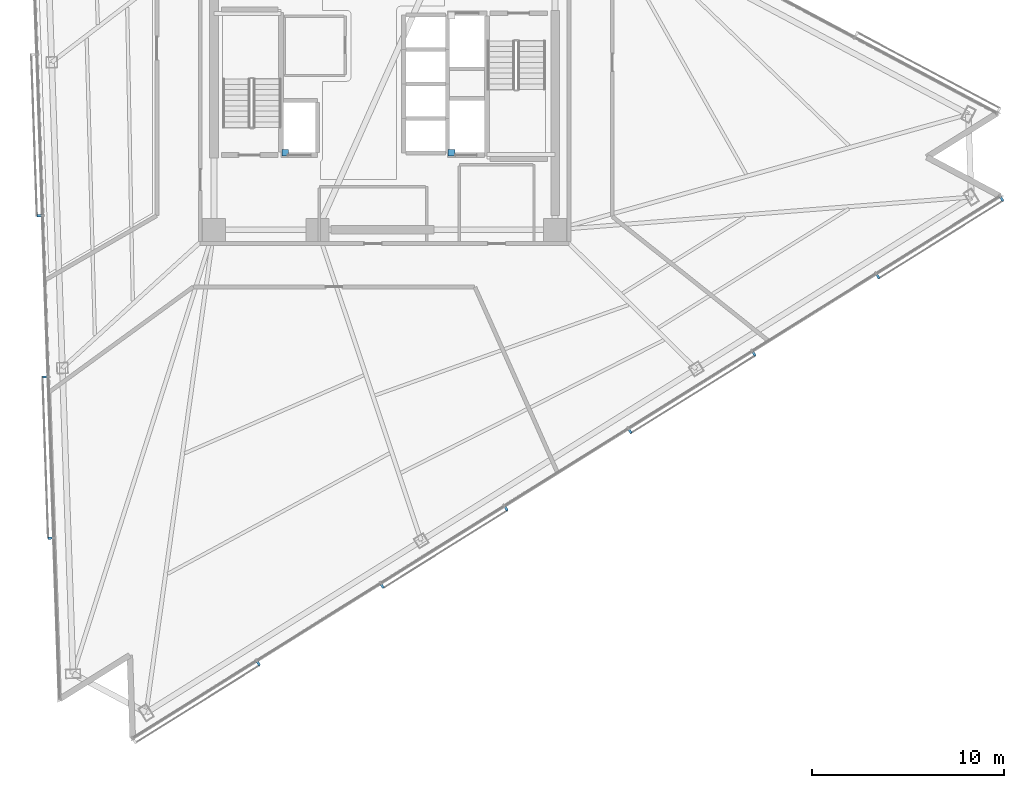
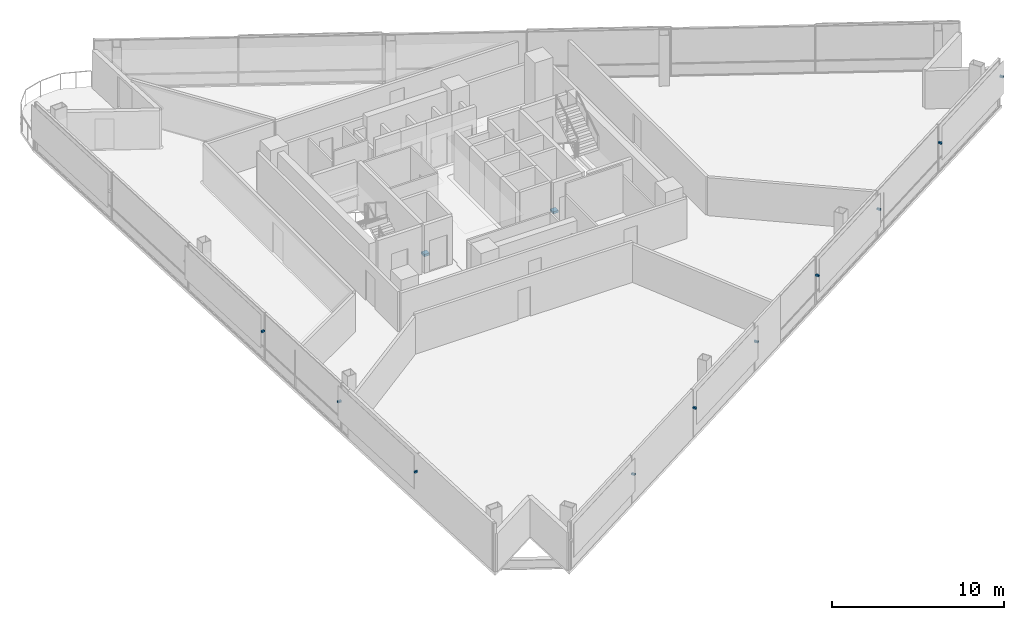
# One storey, part 14 of 18: 12 discrete accessories.
"""IFC4 building model written with IfcOpenShell, lengths in metres."""

from ifc_helpers import new_model, si_unit, direction, frame, origin, origin_2d, place, context, subcontext, project, spatial, rectangle, extrude, material, type_object, element, save


model = new_model("IFC4")

# Units and contexts
model_context = context("Model", 3, precision=1e-05, world=origin(), true_north=direction((0.0, 1.0)))
body_context = subcontext(model_context, "Body", "Model", "MODEL_VIEW")
ifc_project = project(units=[si_unit("LENGTHUNIT", "METRE"), si_unit("AREAUNIT", "SQUARE_METRE"), si_unit("VOLUMEUNIT", "CUBIC_METRE"), si_unit("PLANEANGLEUNIT", "RADIAN"), si_unit("MASSUNIT", "GRAM", prefix="KILO")], contexts=[model_context])

# Site, building, storey
site_placement = place(None, origin())
site = spatial("IfcSite", under=ifc_project, at=site_placement, CompositionType="ELEMENT")
building_placement = place(site_placement, origin())
building = spatial("IfcBuilding", under=site, at=building_placement, Name="Tharavind Bronze Gate", CompositionType="ELEMENT")
storey_placement = place(building_placement, frame((0.0, 0.0, 153.199951171875)))
storey = spatial("IfcBuildingStorey", under=building, at=storey_placement, Name="L39", CompositionType="ELEMENT", Elevation=153.199951171875)

# Discrete accessories
ifc_material_1 = material(Name="Galvanised Steel S355", Category="steel")
discrete_accessory_type_1 = type_object("IfcDiscreteAccessoryType", Name="LIFT GUIDE RAIL BRACKET", PredefinedType="BRACKET", material=ifc_material_1)
for number, where, z_axis, x_axis, name in (
    (1, (-5.179931640625, -3.580078125, 1.1201171875), (0.0, 0.0, 1.0), (1.0, 0.0, 0.0), "Lift FFL1 guide rail bracket at L39"),
    (2, (3.5, -3.580078125, 1.1201171875), (0.0, 0.0, 1.0), (1.0, 0.0, 0.0), "Lift SVL1 guide rail bracket at L39"),
):
    element("IfcDiscreteAccessory", number, at=place(storey_placement, frame(where, z_axis=z_axis, x_axis=x_axis)), inside=storey, type_object=discrete_accessory_type_1, Name=name, PredefinedType="BRACKET", context=body_context, shape_type="SweptSolid", body=[
        extrude(rectangle(XDim=0.360107421875, YDim=0.360107421875, at=origin_2d()), origin(), (0.0, 0.0, 1.0), 0.159912109375),
    ])
ifc_material_2 = material(Name="Stainless Steel 316", Category="steel")
discrete_accessory_type_2 = type_object("IfcDiscreteAccessoryType", Name="SOLAR SCREEN STANDOFF BRACKET", PredefinedType="BRACKET", material=ifc_material_2)
for number, where, z_axis, x_axis, name in (
    (3, (-18.018798828125, -6.8701171875, 2.094970703125), (0.0, 0.0, 1.0), (0.034899496703, -0.999390827019, 0.0), "CW-L39-S1 solar screen bracket 3.2"),
    (4, (-17.72509765625, -15.279541015625, 2.094970703125), (0.0, 0.0, 1.0), (0.034899496703, -0.999390827019, 0.0), "CW-L39-S1 solar screen bracket 5.1"),
    (5, (-17.431396484375, -23.68896484375, 2.094970703125), (0.0, 0.0, 1.0), (0.034899496703, -0.999390827019, 0.0), "CW-L39-S1 solar screen bracket 5.2"),
    (6, (-6.582763671875, -30.23291015625, 2.094970703125), (0.0, 0.0, 1.0), (0.848048096156, 0.529919264233, 0.0), "CW-L39-S2 solar screen bracket 1.2"),
    (7, (-0.1171875, -26.19287109375, 2.094970703125), (0.0, 0.0, 1.0), (0.848048096156, 0.529919264233, 0.0), "CW-L39-S2 solar screen bracket 3.1"),
    (8, (6.34814453125, -22.15283203125, 2.094970703125), (0.0, 0.0, 1.0), (0.848048096156, 0.529919264233, 0.0), "CW-L39-S2 solar screen bracket 3.2"),
    (9, (12.813720703125, -18.11279296875, 2.094970703125), (0.0, 0.0, 1.0), (0.848048096156, 0.529919264233, 0.0), "CW-L39-S2 solar screen bracket 5.1"),
    (10, (19.279052734375, -14.07275390625, 2.094970703125), (0.0, 0.0, 1.0), (0.848048096156, 0.529919264233, 0.0), "CW-L39-S2 solar screen bracket 5.2"),
    (11, (25.744384765625, -10.03271484375, 2.094970703125), (0.0, 0.0, 1.0), (0.848048096156, 0.529919264233, 0.0), "CW-L39-S2 solar screen bracket 7.1"),
    (12, (32.2099609375, -5.992431640625, 2.094970703125), (0.0, 0.0, 1.0), (0.848048096156, 0.529919264233, 0.0), "CW-L39-S2 solar screen bracket 7.2"),
):
    element("IfcDiscreteAccessory", number, at=place(storey_placement, frame(where, z_axis=z_axis, x_axis=x_axis)), inside=storey, type_object=discrete_accessory_type_2, Name=name, PredefinedType="BRACKET", context=body_context, shape_type="SweptSolid", body=[
        extrude(rectangle(XDim=0.1201171875, YDim=0.239990234375, at=origin_2d()), origin(), (0.0, 0.0, 1.0), 0.1201171875),
    ])

save(model, "model.ifc")
